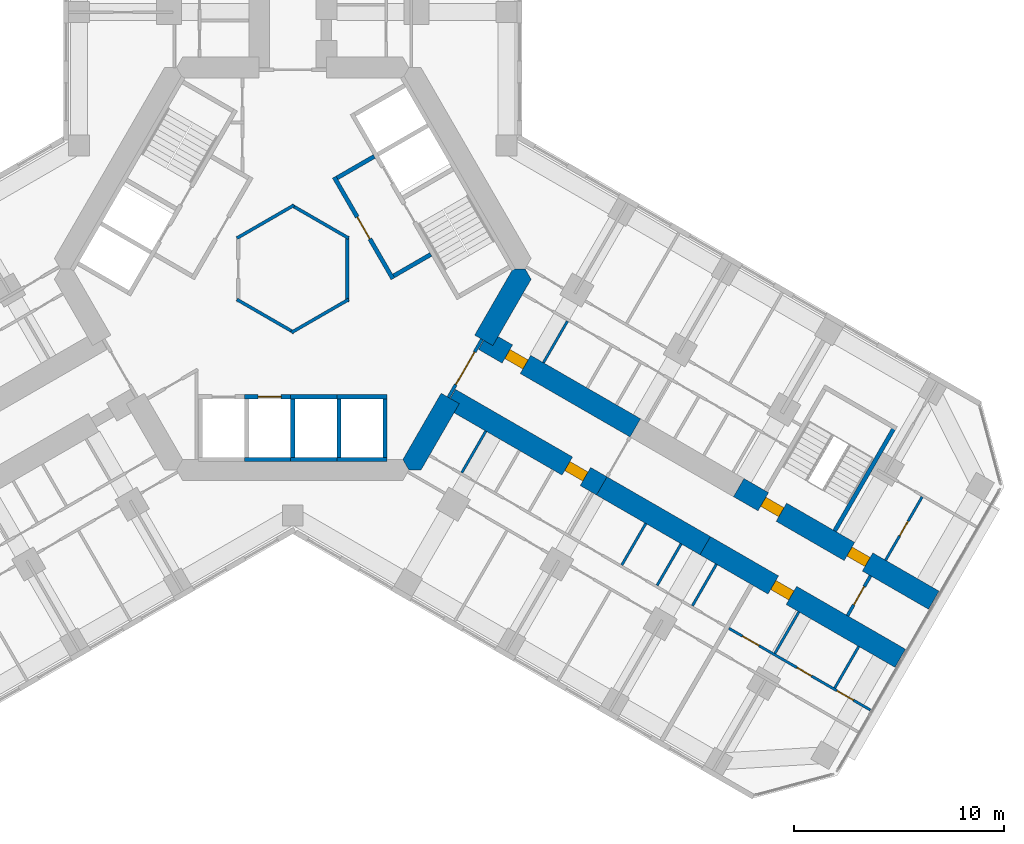
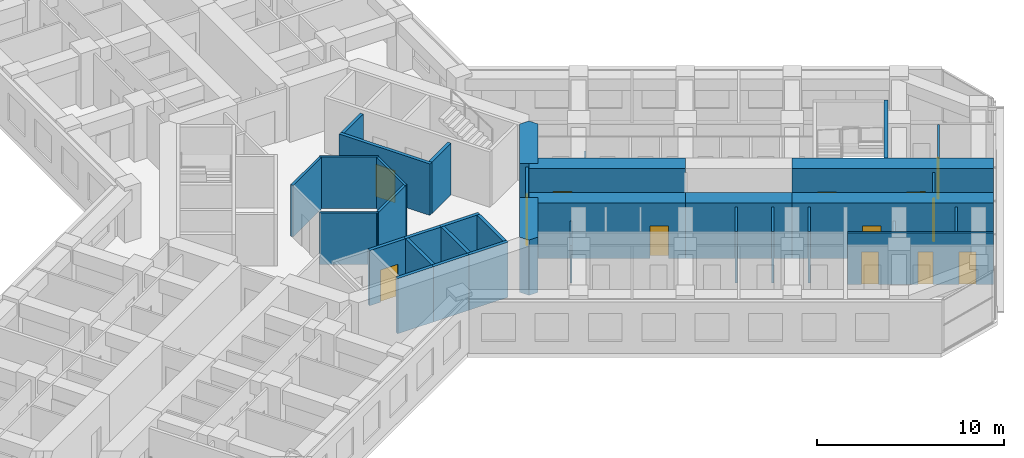
# One storey, part 15 of 21: 36 walls, 13 doors, 13 openings.
"""IFC4 building model written with IfcOpenShell, lengths in metres."""

from ifc_helpers import new_model, si_unit, direction, frame, frame_2d, origin, place, context, subcontext, project, spatial, polyline, rectangle, outline, extrude, material, layer, layer_set, type_object, element, fill, save


model = new_model("IFC4")

# Units and contexts
model_context = context("Model", 3, precision=1e-05, world=origin(), true_north=direction((0.0, 1.0)))
body_context = subcontext(model_context, "Body", "Model", "MODEL_VIEW")
ifc_project = project(units=[si_unit("LENGTHUNIT", "METRE"), si_unit("AREAUNIT", "SQUARE_METRE"), si_unit("VOLUMEUNIT", "CUBIC_METRE"), si_unit("PLANEANGLEUNIT", "RADIAN"), si_unit("MASSUNIT", "GRAM", prefix="KILO")], contexts=[model_context])

# Site, building, storey
site_placement = place(None, origin())
site = spatial("IfcSite", under=ifc_project, at=site_placement, CompositionType="ELEMENT")
building_placement = place(site_placement, origin())
building = spatial("IfcBuilding", under=site, at=building_placement, Name="Kosmar Iwan School Tower", CompositionType="ELEMENT")
storey_placement = place(building_placement, frame((0.0, 0.0, 61.0)))
storey = spatial("IfcBuildingStorey", under=building, at=storey_placement, Name="L14", CompositionType="ELEMENT", Elevation=61.0)

# Walls
ifc_material_1 = material(Name="Gypsum board on steel studs, fire-rated", Category="steel")
ifc_layer_1 = layer(ifc_material_1, 0.14990234375)
ifc_layer_set_1 = layer_set([ifc_layer_1], Name="Core room partition 150")
wall_type_1 = type_object("IfcWallType", Name="Core room partition 150", PredefinedType="PARTITIONING", material=ifc_layer_set_1)
for number, where, z_axis, x_axis, name in (
    (1, (2.6650390625, -1.463623046875, 0.0), (0.0, 0.0, 1.0), (-0.866023080072, -0.500004024767, 0.0), "Core room partition L14-CW4"),
    (2, (0.06494140625, -3.039794921875, 0.0), (0.0, 0.0, 1.0), (-0.866023080072, 0.500004024767, 0.0), "Core room partition L14-CW5"),
    (3, (-2.6650390625, 1.463623046875, 0.0), (0.0, 0.0, 1.0), (0.866023080072, 0.500004024767, 0.0), "Core room partition L14-CW7"),
    (4, (-0.06494140625, 3.039794921875, 0.0), (0.0, 0.0, 1.0), (0.866023080072, -0.500004024767, 0.0), "Core room partition L14-CW8"),
    (5, (2.60009765625, 1.576171875, 0.0), (0.0, 0.0, 1.0), (0.0, -1.0, 0.0), "Core room partition L14-CW9"),
):
    element("IfcWall", number, at=place(storey_placement, frame(where, z_axis=z_axis, x_axis=x_axis)), inside=storey, type_object=wall_type_1, Name=name, PredefinedType="PARTITIONING", context=body_context, shape_type="SweptSolid", body=[
        extrude(rectangle(XDim=3.15234375, YDim=0.14990234375, at=frame_2d((1.576171875, 0.0))), origin(), (0.0, 0.0, 1.0), 3.35009765625),
    ])
ifc_material_2 = material(Name="Concrete C50/60", Category="concrete")
ifc_layer_2 = layer(ifc_material_2, 1.0)
ifc_layer_set_2 = layer_set([ifc_layer_2], Name="Core wall 1000")
wall_type_2 = type_object("IfcWallType", Name="Core wall 1000", PredefinedType="SHEAR", material=ifc_layer_set_2)
wall_1_placement = place(storey_placement, origin())
element("IfcWall", 6, at=wall_1_placement, inside=storey, type_object=wall_type_2, Name="Core wall F330a", PredefinedType="SHEAR", context=body_context, shape_type="SweptSolid", body=[
    extrude(outline(polyline([(5.54248046875, -9.60009765625), (6.119873046875, -9.60009765625), (7.94677734375, -6.435546875), (7.080810546875, -5.935546875), (5.25390625, -9.10009765625), (5.54248046875, -9.60009765625)])), origin(), (0.0, 0.0, 1.0), 3.60009765625),
])
wall_2_placement = place(storey_placement, origin())
element("IfcWall", 7, at=wall_2_placement, inside=storey, type_object=wall_type_2, Name="Core wall F330b", PredefinedType="SHEAR", context=body_context, shape_type="SweptSolid", body=[
    extrude(outline(polyline([(9.546875, -3.664306640625), (11.373779296875, -0.5), (11.085205078125, 0.0), (10.5078125, 0.0), (8.680908203125, -3.164306640625), (9.546875, -3.664306640625)])), origin(), (0.0, 0.0, 1.0), 3.60009765625),
])

# Wall, opening, door
ifc_material_3 = material(Name="Concrete C50/60", Category="concrete")
ifc_layer_3 = layer(ifc_material_3, 1.0)
ifc_layer_set_3 = layer_set([ifc_layer_3], Name="Corridor buttress wall 1000")
wall_type_3 = type_object("IfcWallType", Name="Corridor buttress wall 1000", PredefinedType="SHEAR", material=ifc_layer_set_3)
wall_3_placement = place(storey_placement, frame((9.11376953125, -3.414306640625, 0.0), z_axis=(0.0, 0.0, 1.0), x_axis=(0.866026859388, -0.499997478812, 0.0)))
wall_3 = element("IfcWall", 8, at=wall_3_placement, inside=storey, type_object=wall_type_3, Name="Corridor wall CL", PredefinedType="SHEAR", context=body_context, shape_type="SweptSolid", body=[
    extrude(rectangle(XDim=8.35009765625, YDim=1.0, at=frame_2d((4.175048828125, 0.0))), origin(), (0.0, 0.0, 1.0), 3.60009765625),
])
opening_1_placement = place(wall_3_placement, frame((1.300048828125, 0.0, 0.0)))
opening_1 = element("IfcOpeningElement", 9, at=opening_1_placement, cuts=wall_3, Name="Opening D1", PredefinedType="OPENING", context=body_context, shape_type="SweptSolid", body=[
    extrude(rectangle(XDim=1.0, YDim=2.10009765625, at=frame_2d((0.5, 1.050048828125))), frame((0.0, 0.511962890625, 0.0), z_axis=(0.0, -1.0, 0.0), x_axis=(1.0, 0.0, 0.0)), (0.0, 0.0, 1.0), 1.02392578125),
])
ifc_material_4 = material(Name="Timber fire door in steel frame", Category="steel")
door_type_1 = type_object("IfcDoorType", Name="Flat entrance door 1000x2100", OperationType="SINGLE_SWING_LEFT", PredefinedType="DOOR", material=ifc_material_4)
door_1_placement = place(opening_1_placement, origin())
door_1 = element("IfcDoor", 10, at=door_1_placement, inside=storey, type_object=door_type_1, Name="Flat L14-CL1 entrance door", OperationType="SINGLE_SWING_RIGHT", OverallHeight=2.10009765625, OverallWidth=1.0, PredefinedType="DOOR", context=body_context, shape_type="SweptSolid", body=[
    extrude(rectangle(XDim=1.0, YDim=2.10009765625, at=frame_2d((0.5, 1.050048828125))), frame((0.0, 0.25, 0.0), z_axis=(0.0, -1.0, 0.0), x_axis=(1.0, 0.0, 0.0)), (0.0, 0.0, 1.0), 0.5),
])
fill(opening_1, door_1)

# Wall, openings, doors
wall_4_placement = place(storey_placement, frame((21.281494140625, -10.439453125, 0.0), z_axis=(0.0, 0.0, 1.0), x_axis=(0.866032345022, -0.499987977232, 0.0)))
wall_4 = element("IfcWall", 11, at=wall_4_placement, inside=storey, type_object=wall_type_3, Name="Corridor wall CL bay 3", PredefinedType="SHEAR", context=body_context, shape_type="SweptSolid", body=[
    extrude(rectangle(XDim=10.744873046875, YDim=1.0, at=frame_2d((5.37255859375, 0.0))), origin(), (0.0, 0.0, 1.0), 3.60009765625),
])
opening_2_placement = place(wall_4_placement, frame((6.10009765625, 0.0, 0.0)))
opening_2 = element("IfcOpeningElement", 12, at=opening_2_placement, cuts=wall_4, Name="Opening D1", PredefinedType="OPENING", context=body_context, shape_type="SweptSolid", body=[
    extrude(rectangle(XDim=1.0, YDim=2.10009765625, at=frame_2d((0.5, 1.050048828125))), frame((0.0, 0.511962890625, 0.0), z_axis=(0.0, -1.0, 0.0), x_axis=(1.0, 0.0, 0.0)), (0.0, 0.0, 1.0), 1.02392578125),
])
opening_3_placement = place(wall_4_placement, frame((1.35009765625, 0.0, 0.0)))
opening_3 = element("IfcOpeningElement", 13, at=opening_3_placement, cuts=wall_4, Name="Opening D6", PredefinedType="OPENING", context=body_context, shape_type="SweptSolid", body=[
    extrude(rectangle(XDim=1.0, YDim=2.10009765625, at=frame_2d((0.5, 1.050048828125))), frame((0.0, 0.511962890625, 0.0), z_axis=(0.0, -1.0, 0.0), x_axis=(1.0, 0.0, 0.0)), (0.0, 0.0, 1.0), 1.02392578125),
])
door_2_placement = place(opening_2_placement, origin())
door_2 = element("IfcDoor", 14, at=door_2_placement, inside=storey, type_object=door_type_1, Name="Flat L14-CL2 entrance door", OperationType="SINGLE_SWING_RIGHT", OverallHeight=2.10009765625, OverallWidth=1.0, PredefinedType="DOOR", context=body_context, shape_type="SweptSolid", body=[
    extrude(rectangle(XDim=1.0, YDim=2.10009765625, at=frame_2d((0.5, 1.050048828125))), frame((0.0, 0.25, 0.0), z_axis=(0.0, -1.0, 0.0), x_axis=(1.0, 0.0, 0.0)), (0.0, 0.0, 1.0), 0.5),
])
fill(opening_2, door_2)
ifc_material_5 = material(Name="Steel fire door", Category="steel")
door_type_2 = type_object("IfcDoorType", Name="Stair door 1000x2100", OperationType="SINGLE_SWING_LEFT", PredefinedType="DOOR", material=ifc_material_5)
door_3_placement = place(opening_3_placement, origin())
door_3 = element("IfcDoor", 15, at=door_3_placement, inside=storey, type_object=door_type_2, Name="Stair WS3 door L14", OperationType="SINGLE_SWING_LEFT", OverallHeight=2.10009765625, OverallWidth=1.0, PredefinedType="DOOR", context=body_context, shape_type="SweptSolid", body=[
    extrude(rectangle(XDim=1.0, YDim=2.10009765625, at=frame_2d((0.5, 1.050048828125))), frame((0.0, 0.25, 0.0), z_axis=(0.0, -1.0, 0.0), x_axis=(1.0, 0.0, 0.0)), (0.0, 0.0, 1.0), 0.5),
])
fill(opening_3, door_3)

# Wall, opening, door
wall_5_placement = place(storey_placement, frame((7.513916015625, -6.185546875, 0.0), z_axis=(0.0, 0.0, 1.0), x_axis=(0.866019549707, -0.500010139422, 0.0)))
wall_5 = element("IfcWall", 16, at=wall_5_placement, inside=storey, type_object=wall_type_3, Name="Corridor wall CR", PredefinedType="SHEAR", context=body_context, shape_type="SweptSolid", body=[
    extrude(rectangle(XDim=8.349853515625, YDim=1.0, at=frame_2d((4.1748046875, 0.0))), origin(), (0.0, 0.0, 1.0), 3.60009765625),
])
opening_4_placement = place(wall_5_placement, frame((6.449951171875, 0.0, 0.0)))
opening_4 = element("IfcOpeningElement", 17, at=opening_4_placement, cuts=wall_5, Name="Opening D1", PredefinedType="OPENING", context=body_context, shape_type="SweptSolid", body=[
    extrude(rectangle(XDim=1.0, YDim=2.10009765625, at=frame_2d((0.5, 1.050048828125))), frame((0.0, 0.511962890625, 0.0), z_axis=(0.0, -1.0, 0.0), x_axis=(1.0, 0.0, 0.0)), (0.0, 0.0, 1.0), 1.02392578125),
])
door_4_placement = place(opening_4_placement, origin())
door_4 = element("IfcDoor", 18, at=door_4_placement, inside=storey, type_object=door_type_1, Name="Flat L14-CR1 entrance door", OperationType="SINGLE_SWING_RIGHT", OverallHeight=2.10009765625, OverallWidth=1.0, PredefinedType="DOOR", context=body_context, shape_type="SweptSolid", body=[
    extrude(rectangle(XDim=1.0, YDim=2.10009765625, at=frame_2d((0.5, 1.050048828125))), frame((0.0, 0.25, 0.0), z_axis=(0.0, -1.0, 0.0), x_axis=(1.0, 0.0, 0.0)), (0.0, 0.0, 1.0), 0.5),
])
fill(opening_4, door_4)

# Wall
wall_6_placement = place(storey_placement, frame((14.7451171875, -10.360595703125, 0.0), z_axis=(0.0, 0.0, 1.0), x_axis=(0.866015111908, -0.50001782563, 0.0)))
element("IfcWall", 19, at=wall_6_placement, inside=storey, type_object=wall_type_3, Name="Corridor wall CR bay 2", PredefinedType="SHEAR", context=body_context, shape_type="SweptSolid", body=[
    extrude(rectangle(XDim=5.699951171875, YDim=1.0, at=frame_2d((2.85009765625, 0.0))), origin(), (0.0, 0.0, 1.0), 3.60009765625),
])

# Wall, opening, door
wall_7_placement = place(storey_placement, frame((19.681396484375, -13.210693359375, 0.0), z_axis=(0.0, 0.0, 1.0), x_axis=(0.866028186671, -0.499995179869, 0.0)))
wall_7 = element("IfcWall", 20, at=wall_7_placement, inside=storey, type_object=wall_type_3, Name="Corridor wall CR bay 3", PredefinedType="SHEAR", context=body_context, shape_type="SweptSolid", body=[
    extrude(rectangle(XDim=10.7451171875, YDim=1.0, at=frame_2d((5.37255859375, 0.0))), origin(), (0.0, 0.0, 1.0), 3.60009765625),
])
opening_5_placement = place(wall_7_placement, frame((3.75, 0.0, 0.0)))
opening_5 = element("IfcOpeningElement", 21, at=opening_5_placement, cuts=wall_7, Name="Opening D1", PredefinedType="OPENING", context=body_context, shape_type="SweptSolid", body=[
    extrude(rectangle(XDim=1.0, YDim=2.10009765625, at=frame_2d((0.5, 1.050048828125))), frame((0.0, 0.511962890625, 0.0), z_axis=(0.0, -1.0, 0.0), x_axis=(1.0, 0.0, 0.0)), (0.0, 0.0, 1.0), 1.02392578125),
])
door_5_placement = place(opening_5_placement, origin())
door_5 = element("IfcDoor", 22, at=door_5_placement, inside=storey, type_object=door_type_1, Name="Flat L14-CR2 entrance door", OperationType="SINGLE_SWING_RIGHT", OverallHeight=2.10009765625, OverallWidth=1.0, PredefinedType="DOOR", context=body_context, shape_type="SweptSolid", body=[
    extrude(rectangle(XDim=1.0, YDim=2.10009765625, at=frame_2d((0.5, 1.050048828125))), frame((0.0, 0.25, 0.0), z_axis=(0.0, -1.0, 0.0), x_axis=(1.0, 0.0, 0.0)), (0.0, 0.0, 1.0), 0.5),
])
fill(opening_5, door_5)

ifc_material_6 = material(Name="Gypsum board on steel studs, fire-rated", Category="steel")
ifc_layer_4 = layer(ifc_material_6, 0.14990234375)
ifc_layer_set_4 = layer_set([ifc_layer_4], Name="Corridor end wall 150")
wall_type_4 = type_object("IfcWallType", Name="Corridor end wall 150", PredefinedType="PARTITIONING", material=ifc_layer_set_4)
wall_8_placement = place(storey_placement, frame((26.469970703125, -16.552734375, 0.0), z_axis=(0.0, 0.0, 1.0), x_axis=(0.50002983664, 0.866008176907, 0.0)))
wall_8 = element("IfcWall", 23, at=wall_8_placement, inside=storey, type_object=wall_type_4, Name="Partition L14-C-CE", PredefinedType="PARTITIONING", context=body_context, shape_type="SweptSolid", body=[
    extrude(rectangle(XDim=2.199951171875, YDim=0.14990234375, at=frame_2d((1.10009765625, 0.0))), origin(), (0.0, 0.0, 1.0), 3.35009765625),
])
opening_6_placement = place(wall_8_placement, frame((0.60009765625, 0.0, 0.0)))
opening_6 = element("IfcOpeningElement", 24, at=opening_6_placement, cuts=wall_8, Name="Opening D13", PredefinedType="OPENING", context=body_context, shape_type="SweptSolid", body=[
    extrude(rectangle(XDim=1.0, YDim=2.10009765625, at=frame_2d((0.5, 1.050048828125))), frame((0.0, 0.0869140625, 0.0), z_axis=(0.0, -1.0, 0.0), x_axis=(1.0, 0.0, 0.0)), (0.0, 0.0, 1.0), 0.173828125),
])
ifc_material_7 = material(Name="Timber fire door with vision panel", Category="wood")
door_type_3 = type_object("IfcDoorType", Name="Corridor end door 1000x2100", OperationType="SINGLE_SWING_LEFT", PredefinedType="DOOR", material=ifc_material_7)
door_6_placement = place(opening_6_placement, origin())
door_6 = element("IfcDoor", 25, at=door_6_placement, inside=storey, type_object=door_type_3, Name="Laundry and drying room door L14-C", OperationType="SINGLE_SWING_RIGHT", OverallHeight=2.10009765625, OverallWidth=1.0, PredefinedType="DOOR", context=body_context, shape_type="SweptSolid", body=[
    extrude(rectangle(XDim=1.0, YDim=2.10009765625, at=frame_2d((0.5, 1.050048828125))), frame((0.0, 0.02490234375, 0.0), z_axis=(0.0, -1.0, 0.0), x_axis=(1.0, 0.0, 0.0)), (0.0, 0.0, 1.0), 0.050048828125),
])
fill(opening_6, door_6)

ifc_material_8 = material(Name="Steel framed glazed screen", Category="steel")
ifc_layer_5 = layer(ifc_material_8, 0.14990234375)
ifc_layer_set_5 = layer_set([ifc_layer_5], Name="Corridor screen wall 150")
wall_type_5 = type_object("IfcWallType", Name="Corridor screen wall 150", PredefinedType="PARTITIONING", material=ifc_layer_set_5)
wall_9_placement = place(storey_placement, frame((7.42724609375, -6.1357421875, 0.0), z_axis=(0.0, 0.0, 1.0), x_axis=(0.499995408039, 0.866028054938, 0.0)))
wall_9 = element("IfcWall", 26, at=wall_9_placement, inside=storey, type_object=wall_type_5, Name="Corridor screen C L14", PredefinedType="PARTITIONING", context=body_context, shape_type="SweptSolid", body=[
    extrude(rectangle(XDim=3.2001953125, YDim=0.14990234375, at=frame_2d((1.60009765625, 0.0))), origin(), (0.0, 0.0, 1.0), 3.35009765625),
])
opening_7_placement = place(wall_9_placement, frame((0.699951171875, 0.0, 0.0)))
opening_7 = element("IfcOpeningElement", 27, at=opening_7_placement, cuts=wall_9, Name="Opening D9", PredefinedType="OPENING", context=body_context, shape_type="SweptSolid", body=[
    extrude(rectangle(XDim=1.800048828125, YDim=2.10009765625, at=frame_2d((0.89990234375, 1.050048828125))), frame((0.0, 0.0869140625, 0.0), z_axis=(0.0, -1.0, 0.0), x_axis=(1.0, 0.0, 0.0)), (0.0, 0.0, 1.0), 0.173828125),
])
ifc_material_9 = material(Name="Steel framed glazed smoke door", Category="steel")
door_type_4 = type_object("IfcDoorType", Name="Corridor smoke door pair 1800x2100", OperationType="DOUBLE_DOOR_DOUBLE_SWING", PredefinedType="DOOR", material=ifc_material_9)
door_7_placement = place(opening_7_placement, origin())
door_7 = element("IfcDoor", 28, at=door_7_placement, inside=storey, type_object=door_type_4, Name="Corridor doors C L14", OperationType="DOUBLE_DOOR_DOUBLE_SWING", OverallHeight=2.10009765625, OverallWidth=1.800048828125, PredefinedType="DOOR", context=body_context, shape_type="SweptSolid", body=[
    extrude(rectangle(XDim=1.800048828125, YDim=2.10009765625, at=frame_2d((0.89990234375, 1.050048828125))), frame((0.0, 0.02490234375, 0.0), z_axis=(0.0, -1.0, 0.0), x_axis=(1.0, 0.0, 0.0)), (0.0, 0.0, 1.0), 0.050048828125),
])
fill(opening_7, door_7)

# Wall
ifc_material_10 = material(Name="Gypsum board on steel studs", Category="steel")
ifc_layer_6 = layer(ifc_material_10, 0.1201171875)
ifc_layer_set_6 = layer_set([ifc_layer_6], Name="Dwelling partition 120")
wall_type_6 = type_object("IfcWallType", Name="Dwelling partition 120", PredefinedType="PARTITIONING", material=ifc_layer_set_6)
wall_10_placement = place(storey_placement, frame((11.9619140625, -4.4814453125, 0.0), z_axis=(0.0, 0.0, 1.0), x_axis=(0.499968531483, 0.866043571379, 0.0)))
element("IfcWall", 29, at=wall_10_placement, inside=storey, type_object=wall_type_6, Name="Partition L14-CL1-Y1", PredefinedType="PARTITIONING", context=body_context, shape_type="SweptSolid", body=[
    extrude(rectangle(XDim=2.290283203125, YDim=0.1201171875, at=frame_2d((1.14501953125, 0.0))), origin(), (0.0, 0.0, 1.0), 2.449951171875),
])

# Wall, opening, door
wall_11_placement = place(storey_placement, frame((28.286376953125, -13.90625, 0.0), z_axis=(0.0, 0.0, 1.0), x_axis=(0.50002117804, 0.866013176292, 0.0)))
wall_11 = element("IfcWall", 30, at=wall_11_placement, inside=storey, type_object=wall_type_6, Name="Partition L14-CL2-TY", PredefinedType="PARTITIONING", context=body_context, shape_type="SweptSolid", body=[
    extrude(rectangle(XDim=3.489990234375, YDim=0.1201171875, at=frame_2d((1.7451171875, 0.0))), origin(), (0.0, 0.0, 1.0), 3.35009765625),
])
opening_8_placement = place(wall_11_placement, frame((1.344970703125, 0.0, 0.0)))
opening_8 = element("IfcOpeningElement", 31, at=opening_8_placement, cuts=wall_11, Name="Opening D3", PredefinedType="OPENING", context=body_context, shape_type="SweptSolid", body=[
    extrude(rectangle(XDim=0.800048828125, YDim=2.10009765625, at=frame_2d((0.39990234375, 1.050048828125))), frame((0.0, 0.072021484375, 0.0), z_axis=(0.0, -1.0, 0.0), x_axis=(1.0, 0.0, 0.0)), (0.0, 0.0, 1.0), 0.14404296875),
])
ifc_material_11 = material(Name="Timber door in timber frame", Category="wood")
door_type_5 = type_object("IfcDoorType", Name="Sanitary room door 800x2100", OperationType="SINGLE_SWING_LEFT", PredefinedType="DOOR", material=ifc_material_11)
door_8_placement = place(opening_8_placement, origin())
door_8 = element("IfcDoor", 32, at=door_8_placement, inside=storey, type_object=door_type_5, Name="Bathroom door L14-CL2-T4", OperationType="SINGLE_SWING_LEFT", OverallHeight=2.10009765625, OverallWidth=0.800048828125, PredefinedType="DOOR", context=body_context, shape_type="SweptSolid", body=[
    extrude(rectangle(XDim=0.800048828125, YDim=2.10009765625, at=frame_2d((0.39990234375, 1.050048828125))), frame((0.0, 0.02490234375, 0.0), z_axis=(0.0, -1.0, 0.0), x_axis=(1.0, 0.0, 0.0)), (0.0, 0.0, 1.0), 0.050048828125),
])
fill(opening_8, door_8)

# Walls
wall_12_placement = place(storey_placement, frame((9.21240234375, -7.74365234375, 0.0), z_axis=(0.0, 0.0, 1.0), x_axis=(-0.500014693593, -0.866016920268, 0.0)))
element("IfcWall", 33, at=wall_12_placement, inside=storey, type_object=wall_type_6, Name="Partition L14-CR1-Y1", PredefinedType="PARTITIONING", context=body_context, shape_type="SweptSolid", body=[
    extrude(rectangle(XDim=2.2900390625, YDim=0.1201171875, at=frame_2d((1.14501953125, 0.0))), origin(), (0.0, 0.0, 1.0), 2.449951171875),
])
for number, where, z_axis, x_axis, name in (
    (34, (16.847900390625, -12.152099609375, 0.0), (0.0, 0.0, 1.0), (-0.500014693593, -0.866016920268, 0.0), "Partition L14-CR1-Y5"),
    (35, (18.53173828125, -13.124267578125, 0.0), (0.0, 0.0, 1.0), (-0.500014693593, -0.866016920268, 0.0), "Partition L14-CR1-Y6"),
    (36, (20.2158203125, -14.096435546875, 0.0), (0.0, 0.0, 1.0), (-0.500014693593, -0.866016920268, 0.0), "Partition L14-CR1-Y7"),
):
    element("IfcWall", number, at=place(storey_placement, frame(where, z_axis=z_axis, x_axis=x_axis)), inside=storey, type_object=wall_type_6, Name=name, PredefinedType="PARTITIONING", context=body_context, shape_type="SweptSolid", body=[
        extrude(rectangle(XDim=2.2900390625, YDim=0.1201171875, at=frame_2d((1.14501953125, 0.0))), origin(), (0.0, 0.0, 1.0), 3.35009765625),
    ])

# Wall, openings, doors
wall_13_placement = place(storey_placement, frame((20.811279296875, -17.15380859375, 0.0), z_axis=(0.0, 0.0, 1.0), x_axis=(0.866029639064, -0.499992664208, 0.0)))
wall_13 = element("IfcWall", 37, at=wall_13_placement, inside=storey, type_object=wall_type_6, Name="Partition L14-CR2-W1", PredefinedType="PARTITIONING", context=body_context, shape_type="SweptSolid", body=[
    extrude(rectangle(XDim=7.794921875, YDim=0.1201171875, at=frame_2d((3.8974609375, 0.0))), origin(), (0.0, 0.0, 1.0), 3.35009765625),
])
opening_9_placement = place(wall_13_placement, frame((0.75, 0.0, 0.0)))
opening_9 = element("IfcOpeningElement", 38, at=opening_9_placement, cuts=wall_13, Name="Opening D2", PredefinedType="OPENING", context=body_context, shape_type="SweptSolid", body=[
    extrude(rectangle(XDim=0.89990234375, YDim=2.10009765625, at=frame_2d((0.449951171875, 1.050048828125))), frame((0.0, 0.072021484375, 0.0), z_axis=(0.0, -1.0, 0.0), x_axis=(1.0, 0.0, 0.0)), (0.0, 0.0, 1.0), 0.14404296875),
])
opening_10_placement = place(wall_13_placement, frame((3.75, 0.0, 0.0)))
opening_10 = element("IfcOpeningElement", 39, at=opening_10_placement, cuts=wall_13, Name="Opening D3", PredefinedType="OPENING", context=body_context, shape_type="SweptSolid", body=[
    extrude(rectangle(XDim=0.800048828125, YDim=2.10009765625, at=frame_2d((0.39990234375, 1.050048828125))), frame((0.0, 0.072021484375, 0.0), z_axis=(0.0, -1.0, 0.0), x_axis=(1.0, 0.0, 0.0)), (0.0, 0.0, 1.0), 0.14404296875),
])
opening_11_placement = place(wall_13_placement, frame((5.9599609375, 0.0, 0.0)))
opening_11 = element("IfcOpeningElement", 40, at=opening_11_placement, cuts=wall_13, Name="Opening D2", PredefinedType="OPENING", context=body_context, shape_type="SweptSolid", body=[
    extrude(rectangle(XDim=0.89990234375, YDim=2.10009765625, at=frame_2d((0.449951171875, 1.050048828125))), frame((0.0, 0.072021484375, 0.0), z_axis=(0.0, -1.0, 0.0), x_axis=(1.0, 0.0, 0.0)), (0.0, 0.0, 1.0), 0.14404296875),
])
ifc_material_12 = material(Name="Timber door in timber frame", Category="wood")
door_type_6 = type_object("IfcDoorType", Name="Internal door 900x2100", OperationType="SINGLE_SWING_LEFT", PredefinedType="DOOR", material=ifc_material_12)
door_9_placement = place(opening_9_placement, origin())
door_9 = element("IfcDoor", 41, at=door_9_placement, inside=storey, type_object=door_type_6, Name="Entrance hall door L14-CR2-S1", OperationType="SINGLE_SWING_RIGHT", OverallHeight=2.10009765625, OverallWidth=0.89990234375, PredefinedType="DOOR", context=body_context, shape_type="SweptSolid", body=[
    extrude(rectangle(XDim=0.89990234375, YDim=2.10009765625, at=frame_2d((0.449951171875, 1.050048828125))), frame((0.0, 0.02490234375, 0.0), z_axis=(0.0, -1.0, 0.0), x_axis=(1.0, 0.0, 0.0)), (0.0, 0.0, 1.0), 0.050048828125),
])
fill(opening_9, door_9)
door_10_placement = place(opening_11_placement, origin())
door_10 = element("IfcDoor", 42, at=door_10_placement, inside=storey, type_object=door_type_6, Name="Pantry door L14-CR2-S3", OperationType="SINGLE_SWING_LEFT", OverallHeight=2.10009765625, OverallWidth=0.89990234375, PredefinedType="DOOR", context=body_context, shape_type="SweptSolid", body=[
    extrude(rectangle(XDim=0.89990234375, YDim=2.10009765625, at=frame_2d((0.449951171875, 1.050048828125))), frame((0.0, 0.02490234375, 0.0), z_axis=(0.0, -1.0, 0.0), x_axis=(1.0, 0.0, 0.0)), (0.0, 0.0, 1.0), 0.050048828125),
])
fill(opening_11, door_10)
door_11_placement = place(opening_10_placement, origin())
door_11 = element("IfcDoor", 43, at=door_11_placement, inside=storey, type_object=door_type_5, Name="Bathroom door L14-CR2-S2", OperationType="SINGLE_SWING_LEFT", OverallHeight=2.10009765625, OverallWidth=0.800048828125, PredefinedType="DOOR", context=body_context, shape_type="SweptSolid", body=[
    extrude(rectangle(XDim=0.800048828125, YDim=2.10009765625, at=frame_2d((0.39990234375, 1.050048828125))), frame((0.0, 0.02490234375, 0.0), z_axis=(0.0, -1.0, 0.0), x_axis=(1.0, 0.0, 0.0)), (0.0, 0.0, 1.0), 0.050048828125),
])
fill(opening_10, door_11)

# Walls
wall_14_placement = place(storey_placement, frame((24.1513671875, -16.36865234375, 0.0), z_axis=(0.0, 0.0, 1.0), x_axis=(-0.500014693593, -0.866016920268, 0.0)))
element("IfcWall", 44, at=wall_14_placement, inside=storey, type_object=wall_type_6, Name="Partition L14-CR2-Y1", PredefinedType="PARTITIONING", context=body_context, shape_type="SweptSolid", body=[
    extrude(rectangle(XDim=2.2900390625, YDim=0.1201171875, at=frame_2d((1.14501953125, 0.0))), origin(), (0.0, 0.0, 1.0), 2.449951171875),
])
wall_15_placement = place(storey_placement, frame((27.00927734375, -18.0185546875, 0.0), z_axis=(0.0, 0.0, 1.0), x_axis=(-0.499968531483, -0.866043571379, 0.0)))
element("IfcWall", 45, at=wall_15_placement, inside=storey, type_object=wall_type_6, Name="Partition L14-CR2-Y2", PredefinedType="PARTITIONING", context=body_context, shape_type="SweptSolid", body=[
    extrude(rectangle(XDim=2.290283203125, YDim=0.1201171875, at=frame_2d((1.14501953125, 0.0))), origin(), (0.0, 0.0, 1.0), 3.35009765625),
])
ifc_material_13 = material(Name="Concrete C35/45", Category="concrete")
ifc_layer_7 = layer(ifc_material_13, 0.199951171875)
ifc_layer_set_7 = layer_set([ifc_layer_7], Name="Escape stair wall 200")
wall_type_7 = type_object("IfcWallType", Name="Escape stair wall 200", PredefinedType="SHEAR", material=ifc_layer_set_7)
wall_16_placement = place(storey_placement, frame((25.861572265625, -12.50634765625, 0.0), z_axis=(0.0, 0.0, 1.0), x_axis=(0.500018801468, 0.86601454848, 0.0)))
element("IfcWall", 46, at=wall_16_placement, inside=storey, type_object=wall_type_7, Name="Stair WS3 wall", PredefinedType="SHEAR", context=body_context, shape_type="SweptSolid", body=[
    extrude(rectangle(XDim=5.800048828125, YDim=0.199951171875, at=frame_2d((2.89990234375, 0.0))), origin(), (0.0, 0.0, 1.0), 3.330078125),
])

# Wall, opening, door
ifc_material_14 = material(Name="Concrete block masonry", Category="masonry")
ifc_layer_8 = layer(ifc_material_14, 0.199951171875)
ifc_layer_set_8 = layer_set([ifc_layer_8], Name="Fire lobby wall 200")
wall_type_8 = type_object("IfcWallType", Name="Fire lobby wall 200", PredefinedType="PARTITIONING", material=ifc_layer_set_8)
wall_17_placement = place(storey_placement, frame((4.777587890625, -0.474853515625, 0.0), z_axis=(0.0, 0.0, 1.0), x_axis=(-0.500016814911, 0.866015695474, 0.0)))
wall_17 = element("IfcWall", 47, at=wall_17_placement, inside=storey, type_object=wall_type_8, Name="Firefighting lobby wall ST1", PredefinedType="PARTITIONING", context=body_context, shape_type="SweptSolid", body=[
    extrude(rectangle(XDim=5.599853515625, YDim=0.199951171875, at=frame_2d((2.7998046875, 0.0))), origin(), (0.0, 0.0, 1.0), 3.35009765625),
])
opening_12_placement = place(wall_17_placement, frame((2.199951171875, 0.0, 0.0)))
opening_12 = element("IfcOpeningElement", 48, at=opening_12_placement, cuts=wall_17, Name="Opening D7", PredefinedType="OPENING", context=body_context, shape_type="SweptSolid", body=[
    extrude(rectangle(XDim=1.199951171875, YDim=2.10009765625, at=frame_2d((0.60009765625, 1.050048828125))), frame((0.0, 0.112060546875, 0.0), z_axis=(0.0, -1.0, 0.0), x_axis=(1.0, 0.0, 0.0)), (0.0, 0.0, 1.0), 0.223876953125),
])
ifc_material_15 = material(Name="Steel fire door", Category="steel")
door_type_7 = type_object("IfcDoorType", Name="Fire lobby door 1200x2100", OperationType="SINGLE_SWING_LEFT", PredefinedType="DOOR", material=ifc_material_15)
door_12_placement = place(opening_12_placement, frame((1.199951171875, 0.0, 0.0), z_axis=(0.0, 0.0, 1.0), x_axis=(-1.0, 0.0, 0.0)))
door_12 = element("IfcDoor", 49, at=door_12_placement, inside=storey, type_object=door_type_7, Name="Firefighting lobby door ST1 L14", OperationType="SINGLE_SWING_LEFT", OverallHeight=2.10009765625, OverallWidth=1.199951171875, PredefinedType="DOOR", context=body_context, shape_type="SweptSolid", body=[
    extrude(rectangle(XDim=1.199951171875, YDim=2.10009765625, at=frame_2d((0.60009765625, 1.050048828125))), frame((0.0, 0.02490234375, 0.0), z_axis=(0.0, -1.0, 0.0), x_axis=(1.0, 0.0, 0.0)), (0.0, 0.0, 1.0), 0.050048828125),
])
fill(opening_12, door_12)

# Walls
wall_18_placement = place(storey_placement, frame((4.814208984375, -0.33837890625, 0.0), z_axis=(0.0, 0.0, 1.0), x_axis=(0.865969381856, 0.500097020274, 0.0)))
element("IfcWall", 50, at=wall_18_placement, inside=storey, type_object=wall_type_8, Name="Firefighting lobby wall ST1", PredefinedType="PARTITIONING", context=body_context, shape_type="SweptSolid", body=[
    extrude(rectangle(XDim=2.0498046875, YDim=0.199951171875, at=frame_2d((1.02490234375, 0.0))), origin(), (0.0, 0.0, 1.0), 3.35009765625),
])
wall_19_placement = place(storey_placement, frame((2.114013671875, 4.33837890625, 0.0), z_axis=(0.0, 0.0, 1.0), x_axis=(0.866050731258, 0.499956128963, 0.0)))
element("IfcWall", 51, at=wall_19_placement, inside=storey, type_object=wall_type_8, Name="Firefighting lobby wall ST1", PredefinedType="PARTITIONING", context=body_context, shape_type="SweptSolid", body=[
    extrude(rectangle(XDim=2.050048828125, YDim=0.199951171875, at=frame_2d((1.02490234375, 0.0))), origin(), (0.0, 0.0, 1.0), 3.35009765625),
])

# Wall, opening, door
ifc_material_16 = material(Name="Concrete C50/60", Category="concrete")
ifc_layer_9 = layer(ifc_material_16, 0.199951171875)
ifc_layer_set_9 = layer_set([ifc_layer_9], Name="Lift shaft wall 200")
wall_type_9 = type_object("IfcWallType", Name="Lift shaft wall 200", PredefinedType="SHEAR", material=ifc_layer_set_9)
wall_20_placement = place(storey_placement, frame((-2.300048828125, -6.10009765625, 0.0), z_axis=(0.0, 0.0, 1.0), x_axis=(1.0, 0.0, 0.0)))
wall_20 = element("IfcWall", 52, at=wall_20_placement, inside=storey, type_object=wall_type_9, Name="Lift and stair front wall BC", PredefinedType="SHEAR", context=body_context, shape_type="SweptSolid", body=[
    extrude(rectangle(XDim=2.199951171875, YDim=0.199951171875, at=frame_2d((1.10009765625, 0.0))), origin(), (0.0, 0.0, 1.0), 3.60009765625),
])
opening_13_placement = place(wall_20_placement, frame((0.64990234375, 0.0, 0.0)))
opening_13 = element("IfcOpeningElement", 53, at=opening_13_placement, cuts=wall_20, Name="Opening LD1", PredefinedType="OPENING", context=body_context, shape_type="SweptSolid", body=[
    extrude(rectangle(XDim=1.10009765625, YDim=2.10009765625, at=frame_2d((0.550048828125, 1.050048828125))), frame((0.0, 0.112060546875, 0.0), z_axis=(0.0, -1.0, 0.0), x_axis=(1.0, 0.0, 0.0)), (0.0, 0.0, 1.0), 0.223876953125),
])
ifc_material_17 = material(Name="Stainless steel sliding lift door", Category="steel")
door_type_8 = type_object("IfcDoorType", Name="Lift landing door 1100x2100", OperationType="SLIDING_TO_LEFT", PredefinedType="DOOR", material=ifc_material_17)
door_13_placement = place(opening_13_placement, origin())
door_13 = element("IfcDoor", 54, at=door_13_placement, inside=storey, type_object=door_type_8, Name="Lift PL2 landing door L14", OperationType="SLIDING_TO_LEFT", OverallHeight=2.10009765625, OverallWidth=1.10009765625, PredefinedType="DOOR", context=body_context, shape_type="SweptSolid", body=[
    extrude(rectangle(XDim=1.10009765625, YDim=2.10009765625, at=frame_2d((0.550048828125, 1.050048828125))), frame((0.0, 0.02490234375, 0.0), z_axis=(0.0, -1.0, 0.0), x_axis=(1.0, 0.0, 0.0)), (0.0, 0.0, 1.0), 0.050048828125),
])
fill(opening_13, door_13)

# Walls
wall_21_placement = place(storey_placement, frame((-2.300048828125, -9.10009765625, 0.0), z_axis=(0.0, 0.0, 1.0), x_axis=(1.0, 0.0, 0.0)))
element("IfcWall", 55, at=wall_21_placement, inside=storey, type_object=wall_type_9, Name="Lift and stair back wall BC", PredefinedType="SHEAR", context=body_context, shape_type="SweptSolid", body=[
    extrude(rectangle(XDim=2.199951171875, YDim=0.199951171875, at=frame_2d((1.10009765625, 0.0))), origin(), (0.0, 0.0, 1.0), 3.60009765625),
])
for number, where, z_axis, x_axis, name in (
    (56, (-0.10009765625, -6.10009765625, 0.0), (0.0, 0.0, 1.0), (1.0, 0.0, 0.0), "Lift and stair front wall BC"),
    (57, (-0.10009765625, -9.10009765625, 0.0), (0.0, 0.0, 1.0), (1.0, 0.0, 0.0), "Lift and stair back wall BC"),
):
    element("IfcWall", number, at=place(storey_placement, frame(where, z_axis=z_axis, x_axis=x_axis)), inside=storey, type_object=wall_type_9, Name=name, PredefinedType="SHEAR", context=body_context, shape_type="SweptSolid", body=[
        extrude(rectangle(XDim=2.2001953125, YDim=0.199951171875, at=frame_2d((1.10009765625, 0.0))), origin(), (0.0, 0.0, 1.0), 3.60009765625),
    ])
for number, where, z_axis, x_axis, name in (
    (58, (2.10009765625, -6.10009765625, 0.0), (0.0, 0.0, 1.0), (1.0, 0.0, 0.0), "Lift and stair front wall BC"),
    (59, (2.10009765625, -9.10009765625, 0.0), (0.0, 0.0, 1.0), (1.0, 0.0, 0.0), "Lift and stair back wall BC"),
):
    element("IfcWall", number, at=place(storey_placement, frame(where, z_axis=z_axis, x_axis=x_axis)), inside=storey, type_object=wall_type_9, Name=name, PredefinedType="SHEAR", context=body_context, shape_type="SweptSolid", body=[
        extrude(rectangle(XDim=2.39990234375, YDim=0.199951171875, at=frame_2d((1.199951171875, 0.0))), origin(), (0.0, 0.0, 1.0), 3.60009765625),
    ])
for number, where, z_axis, x_axis, name in (
    (60, (0.0, -6.199951171875, 0.0), (0.0, 0.0, 1.0), (0.0, -1.0, 0.0), "Lift shaft wall BC 2"),
    (61, (2.199951171875, -6.199951171875, 0.0), (0.0, 0.0, 1.0), (0.0, -1.0, 0.0), "Lift shaft wall BC 3"),
    (62, (4.39990234375, -6.199951171875, 0.0), (0.0, 0.0, 1.0), (0.0, -1.0, 0.0), "Lift shaft wall BC 4"),
):
    element("IfcWall", number, at=place(storey_placement, frame(where, z_axis=z_axis, x_axis=x_axis)), inside=storey, type_object=wall_type_9, Name=name, PredefinedType="SHEAR", context=body_context, shape_type="SweptSolid", body=[
        extrude(rectangle(XDim=2.800048828125, YDim=0.199951171875, at=frame_2d((1.39990234375, 0.0))), origin(), (0.0, 0.0, 1.0), 3.60009765625),
    ])

save(model, "model.ifc")
